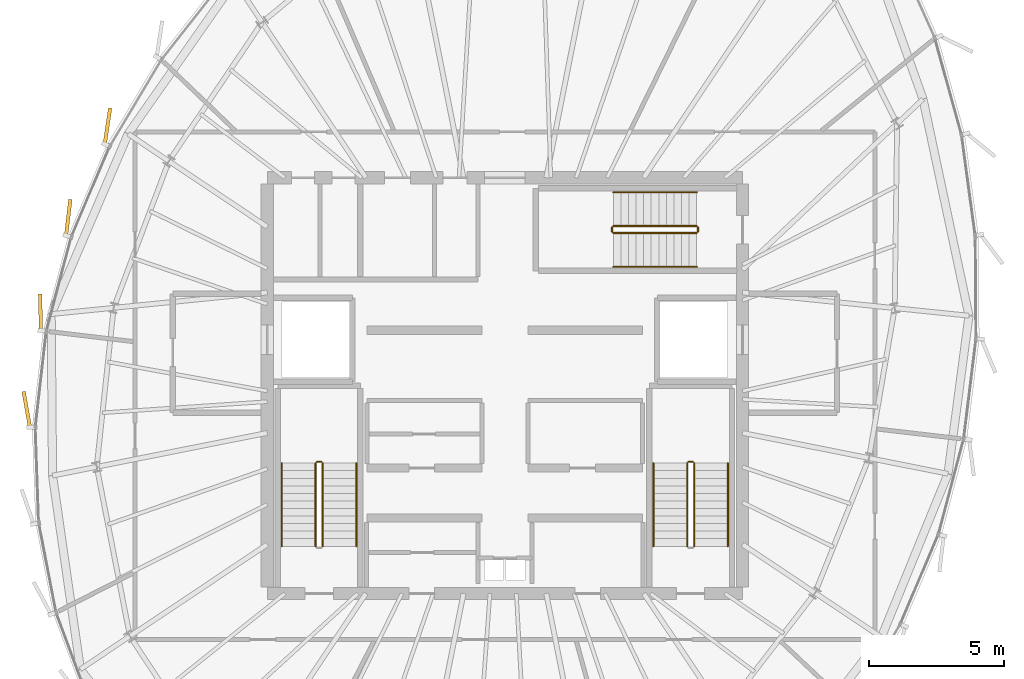
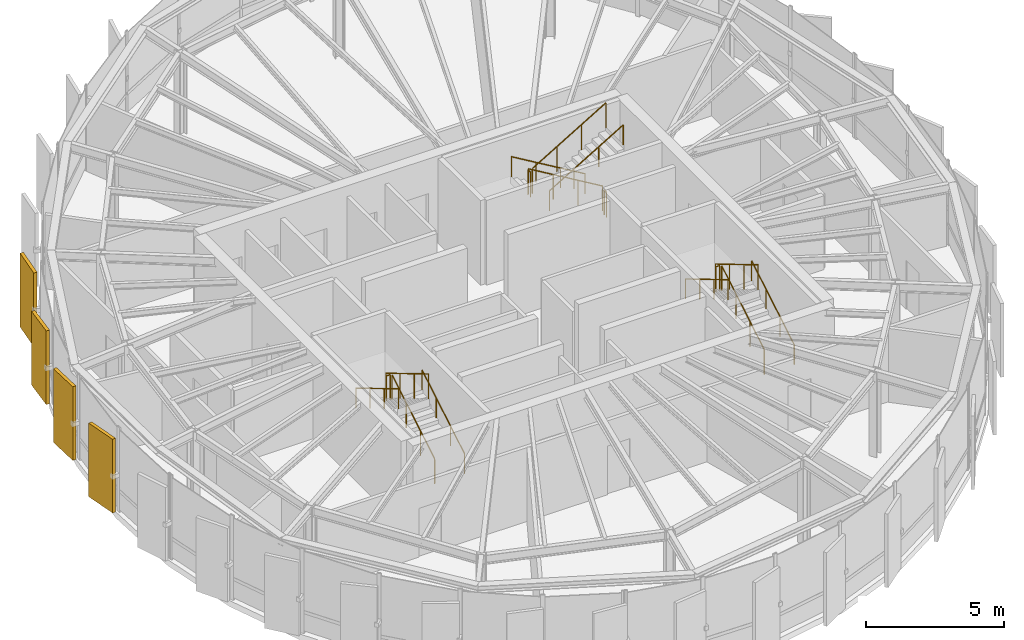
# One storey, part 25 of 26: 16 railings, 4 coverings.
"""IFC4 building model written with IfcOpenShell, lengths in metres."""

import ifcopenshell
import ifcopenshell.guid

model = None  # the IFC model being written
_history = None  # IfcOwnerHistory: only IFC2X3 demands one
_inside = {}  # id of a spatial element -> (the spatial element, [elements in it])
_under = {}  # id of a project, library or spatial element -> (it, [spatial elements below it])
_declared = {}  # id of a project -> (the project, [libraries it declares])
_typed = {}  # id of a type object -> (the type object, [elements of that type])
_made_of = {}  # id of a material, layer set ... -> (it, [elements and type objects made of it])


def new_model(schema):
    """Start an empty IFC model of exactly this schema.

    Asked for "IFC4X3", IfcOpenShell would pick the latest addendum, in which some entities
    have other attributes; the version numbers below select the first issue.
    IFC2X3 requires an IfcOwnerHistory on every rooted entity: one is made here for all.
    """
    global model, _history
    if schema == "IFC4X3":
        model = ifcopenshell.file(schema_version=(4, 3, 0, 0))
    else:
        model = ifcopenshell.file(schema=schema)
    _inside.clear()
    _under.clear()
    _declared.clear()
    _typed.clear()
    _made_of.clear()
    _history = None
    if model.schema == "IFC2X3":
        org = make("IfcOrganization", Name="unknown")
        user = make(
            "IfcPersonAndOrganization",
            ThePerson=make("IfcPerson", FamilyName="unknown"),
            TheOrganization=org,
        )
        app = make(
            "IfcApplication",
            ApplicationDeveloper=org,
            Version="unknown",
            ApplicationFullName="unknown",
            ApplicationIdentifier="unknown",
        )
        _history = make(
            "IfcOwnerHistory",
            OwningUser=user,
            OwningApplication=app,
            ChangeAction="ADDED",
            CreationDate=0,
        )
    return model


def make(cls, **values):
    """One entity of the class cls with the attributes given. An attribute that is None is left unset."""
    return model.create_entity(
        cls, **{name: value for name, value in values.items() if value is not None}
    )


def rooted(cls, **values):
    """An entity with a GlobalId (a new one), such as an element, a storey or a relation."""
    return make(cls, GlobalId=ifcopenshell.guid.new(), OwnerHistory=_history, **values)


def si_unit(unit_type, name, prefix=None):
    """IfcSIUnit, for example si_unit("LENGTHUNIT", "METRE", prefix="MILLI")."""
    return make("IfcSIUnit", UnitType=unit_type, Prefix=prefix, Name=name)


def assignment(units):
    """IfcUnitAssignment: the units of a project."""
    return None if units is None else make("IfcUnitAssignment", Units=units)


def point(xyz):
    """IfcCartesianPoint."""
    return None if xyz is None else make("IfcCartesianPoint", Coordinates=xyz)


def direction(xyz):
    """IfcDirection."""
    return None if xyz is None else make("IfcDirection", DirectionRatios=xyz)


def frame(location, z_axis=None, x_axis=None):
    """IfcAxis2Placement3D, a coordinate frame: its origin and axes. An axis left out is left unset."""
    return make(
        "IfcAxis2Placement3D",
        Location=point(location),
        Axis=direction(z_axis),
        RefDirection=direction(x_axis),
    )


def frame_2d(location, x_axis=None):
    """IfcAxis2Placement2D, a coordinate frame in the plane: its origin and x axis."""
    return make(
        "IfcAxis2Placement2D", Location=point(location), RefDirection=direction(x_axis)
    )


def origin():
    """The frame at (0, 0, 0) with its axes left unset."""
    return frame((0.0, 0.0, 0.0))


def origin_2d():
    """The frame at (0, 0) in the plane with its x axis left unset."""
    return frame_2d((0.0, 0.0))


def place(relative_to, where):
    """IfcLocalPlacement: puts the frame where relative to a parent placement (None: the world)."""
    return make(
        "IfcLocalPlacement", PlacementRelTo=relative_to, RelativePlacement=where
    )


def context(
    kind, dimensions, precision=None, world=None, true_north=None, identifier=None
):
    """IfcGeometricRepresentationContext, for example the 3D "Model" context."""
    return make(
        "IfcGeometricRepresentationContext",
        ContextIdentifier=identifier,
        ContextType=kind,
        CoordinateSpaceDimension=dimensions,
        Precision=precision,
        WorldCoordinateSystem=world,
        TrueNorth=true_north,
    )


def subcontext(parent, identifier, kind, view, scale=None):
    """IfcGeometricRepresentationSubContext, for example "Body" below "Model"."""
    return make(
        "IfcGeometricRepresentationSubContext",
        ContextIdentifier=identifier,
        ContextType=kind,
        ParentContext=parent,
        TargetScale=scale,
        TargetView=view,
    )


def project(units=None, contexts=None):
    """IfcProject with its units and contexts."""
    return rooted(
        "IfcProject",
        Name="project",
        RepresentationContexts=contexts,
        UnitsInContext=assignment(units),
    )


def spatial(cls, under=None, at=None, **own):
    """A site, building, storey or space (cls), placed at a placement, below another one or the project."""
    s = rooted(cls, ObjectPlacement=at, **own)
    if under is not None:
        _under.setdefault(under.id(), (under, []))[1].append(s)
    return s


def profile(cls, at=None, kind="AREA", **sizes):
    """A parametric profile (cls). Its sizes go by their IFC names, for example OverallWidth=200.0."""
    return make(cls, ProfileType=kind, Position=at, **sizes)


def rectangle(**sizes):
    """IfcRectangleProfileDef."""
    return profile("IfcRectangleProfileDef", **sizes)


def circle(**sizes):
    """IfcCircleProfileDef."""
    return profile("IfcCircleProfileDef", **sizes)


def extrude(swept, where, along, depth):
    """IfcExtrudedAreaSolid: the profile swept, set in the frame where, extruded along a direction by depth."""
    return make(
        "IfcExtrudedAreaSolid",
        SweptArea=swept,
        Position=where,
        ExtrudedDirection=direction(along),
        Depth=depth,
    )


def shape(context_of_items, identifier, shape_type, items):
    """IfcShapeRepresentation: the items that make up one representation, for example the "Body"."""
    return make(
        "IfcShapeRepresentation",
        ContextOfItems=context_of_items,
        RepresentationIdentifier=identifier,
        RepresentationType=shape_type,
        Items=items,
    )


def source(mapping_origin, context_of_items, identifier, shape_type, items):
    """IfcRepresentationMap: a shape defined once, which mapped items show again and again."""
    return make(
        "IfcRepresentationMap",
        MappingOrigin=mapping_origin,
        MappedRepresentation=shape(context_of_items, identifier, shape_type, items),
    )


def transform(
    local_origin,
    x_axis=None,
    y_axis=None,
    z_axis=None,
    scale=None,
    scale2=None,
    scale3=None,
    uniform=True,
):
    """IfcCartesianTransformationOperator3D, or its non-uniform kind. x_axis, y_axis, z_axis: its Axis1, 2, 3."""
    if uniform:
        return make(
            "IfcCartesianTransformationOperator3D",
            Axis1=direction(x_axis),
            Axis2=direction(y_axis),
            LocalOrigin=point(local_origin),
            Scale=scale,
            Axis3=direction(z_axis),
        )
    return make(
        "IfcCartesianTransformationOperator3DnonUniform",
        Axis1=direction(x_axis),
        Axis2=direction(y_axis),
        LocalOrigin=point(local_origin),
        Scale=scale,
        Axis3=direction(z_axis),
        Scale2=scale2,
        Scale3=scale3,
    )


def mapped(mapping_source, mapping_target):
    """IfcMappedItem: shows the shape of a source again, moved by a transform."""
    return make(
        "IfcMappedItem", MappingSource=mapping_source, MappingTarget=mapping_target
    )


def material(Name=None, Category=None):
    """IfcMaterial."""
    return make("IfcMaterial", Name=Name, Category=Category)


def layer(
    of_material, thickness, ventilated=None, Name=None, Category=None, Priority=None
):
    """IfcMaterialLayer: one layer of a wall or slab, of a material (None: an air gap)."""
    return make(
        "IfcMaterialLayer",
        Material=of_material,
        LayerThickness=thickness,
        IsVentilated=ventilated,
        Name=Name,
        Category=Category,
        Priority=Priority,
    )


def layer_set(layers, Name=None):
    """IfcMaterialLayerSet."""
    return make("IfcMaterialLayerSet", MaterialLayers=layers, LayerSetName=Name)


def made_of(thing, what):
    """Note that an element or type object is made of a material, layer set ...; save() writes the relation."""
    if what is not None:
        _made_of.setdefault(what.id(), (what, []))[1].append(thing)
    return thing


def type_object(cls, material=None, **own):
    """A type object (cls), such as IfcWallType, which elements share."""
    return made_of(rooted(cls, **own), material)


def element(
    cls,
    number,
    at=None,
    inside=None,
    cuts=None,
    type_object=None,
    material=None,
    context=None,
    identifier="Body",
    shape_type=None,
    held_by="IfcProductDefinitionShape",
    body=None,
    shapes=None,
    **own,
):
    """One element of the class cls, such as IfcWall. Its Tag is "e" and its number.

    at: its placement. inside: the storey or other place that contains it. cuts: it is an
    opening in that element (IfcRelVoidsElement). A single representation is given by context,
    identifier, shape_type and body (its items); several are given by shapes. held_by: the class
    of the entity that holds the representations. save() writes the other relations.
    """
    e = rooted(cls, Tag="e%d" % number, ObjectPlacement=at, **own)
    if body is not None:
        shapes = [shape(context, identifier, shape_type, body)]
    if shapes is not None:
        e.Representation = make(held_by, Representations=shapes)
    if inside is not None:
        _inside.setdefault(inside.id(), (inside, []))[1].append(e)
    if cuts is not None:
        rooted(
            "IfcRelVoidsElement", RelatingBuildingElement=cuts, RelatedOpeningElement=e
        )
    if type_object is not None:
        _typed.setdefault(type_object.id(), (type_object, []))[1].append(e)
    return made_of(e, material)


def aggregate(whole, parts):
    """IfcRelAggregates: a whole, such as a stair, and the parts it consists of."""
    return rooted("IfcRelAggregates", RelatingObject=whole, RelatedObjects=parts)


def save(model, path):
    """Write the relations noted so far, then the file.

    IfcRelAggregates (storeys below a building ...), IfcRelContainedInSpatialStructure (elements
    in a storey), IfcRelDefinesByType, IfcRelAssociatesMaterial and IfcRelDeclares: one each for
    every whole, place, type object, material and project.
    """
    for whole, parts in _under.values():
        aggregate(whole, parts)
    for where, things in _inside.values():
        rooted(
            "IfcRelContainedInSpatialStructure",
            RelatedElements=things,
            RelatingStructure=where,
        )
    for kind, things in _typed.values():
        rooted("IfcRelDefinesByType", RelatedObjects=things, RelatingType=kind)
    for what, things in _made_of.values():
        rooted("IfcRelAssociatesMaterial", RelatedObjects=things, RelatingMaterial=what)
    for by, libraries in _declared.values():
        rooted("IfcRelDeclares", RelatingContext=by, RelatedDefinitions=libraries)
    model.write(path)


model = new_model("IFC4")

# Units and contexts
model_context = context("Model", 3, precision=1e-05, world=origin(), true_north=direction((0.0, 1.0)))
body_context = subcontext(model_context, "Body", "Model", "MODEL_VIEW")
ifc_project = project(units=[si_unit("LENGTHUNIT", "METRE"), si_unit("AREAUNIT", "SQUARE_METRE"), si_unit("VOLUMEUNIT", "CUBIC_METRE"), si_unit("PLANEANGLEUNIT", "RADIAN"), si_unit("MASSUNIT", "GRAM", prefix="KILO"), si_unit("THERMODYNAMICTEMPERATUREUNIT", "KELVIN")], contexts=[model_context])

# Site, building, storey
site_placement = place(None, origin())
site = spatial("IfcSite", under=ifc_project, at=site_placement, CompositionType="ELEMENT")
building_placement = place(site_placement, origin())
building = spatial("IfcBuilding", under=site, at=building_placement, Name="Kethvar Cultural Tower", CompositionType="ELEMENT")
storey_placement = place(building_placement, frame((0.0, 0.0, 320.300048828125)))
storey = spatial("IfcBuildingStorey", under=building, at=storey_placement, Name="L85", CompositionType="ELEMENT", Elevation=320.300048828125)

# Railings
ifc_material_1 = material(Name="Steel S355J2", Category="steel")
railing_type_1 = type_object("IfcRailingType", Name="RL-STAIR-GUARD", PredefinedType="BALUSTRADE", material=ifc_material_1)
railing_1_placement = place(storey_placement, frame((40.050048828125, 21.85009765625, 0.16650390625)))
element("IfcRailing", 1, at=railing_1_placement, inside=storey, type_object=railing_type_1, Name="L85 ST-01 stair guard 1", PredefinedType="BALUSTRADE", context=body_context, shape_type="SweptSolid", body=[
    extrude(circle(Radius=0.02392578125, at=origin_2d()), frame((0.0, 0.0, 1.09619140625), z_axis=(0.0, 0.859260807169, 0.511537745687), x_axis=(-1.0, 0.0, 0.0)), (0.0, 0.0, 1.0), 3.584228515625),
    extrude(circle(Radius=0.02099609375, at=origin_2d()), origin(), (0.0, 0.0, 1.0), 1.072021484375),
    extrude(circle(Radius=0.02099609375, at=origin_2d()), frame((0.0, 1.026611328125, 0.611083984375)), (0.0, 0.0, 1.0), 1.072021484375),
    extrude(circle(Radius=0.02099609375, at=origin_2d()), frame((0.0, 2.05322265625, 1.222412109375)), (0.0, 0.0, 1.0), 1.072021484375),
    extrude(circle(Radius=0.02099609375, at=origin_2d()), frame((0.0, 3.079833984375, 1.83349609375)), (0.0, 0.0, 1.0), 1.072021484375),
])
railing_2_placement = place(storey_placement, frame((40.0, 24.97998046875, 2.0)))
element("IfcRailing", 2, at=railing_2_placement, inside=storey, type_object=railing_type_1, Name="L85 ST-01 stair guard 2", PredefinedType="BALUSTRADE", context=body_context, shape_type="SweptSolid", body=[
    extrude(circle(Radius=0.02392578125, at=origin_2d()), frame((0.0, 0.0, 1.09619140625), z_axis=(-1.0, 0.0, 0.0), x_axis=(0.0, -1.0, 0.0)), (0.0, 0.0, 1.0), 0.159912109375),
    extrude(circle(Radius=0.02099609375, at=origin_2d()), origin(), (0.0, 0.0, 1.0), 1.072021484375),
    extrude(circle(Radius=0.02099609375, at=origin_2d()), frame((-0.159912109375, 0.0, 0.0)), (0.0, 0.0, 1.0), 1.072021484375),
])
railing_3_placement = place(storey_placement, frame((39.7900390625, 24.929931640625, 2.16650390625)))
element("IfcRailing", 3, at=railing_3_placement, inside=storey, type_object=railing_type_1, Name="L85 ST-01 stair guard 3", PredefinedType="BALUSTRADE", context=body_context, shape_type="SweptSolid", body=[
    extrude(circle(Radius=0.02392578125, at=origin_2d()), frame((0.0, 0.0, 1.09619140625), z_axis=(0.0, -0.859260807169, 0.511537745687), x_axis=(1.0, 0.0, 0.0)), (0.0, 0.0, 1.0), 3.584228515625),
    extrude(circle(Radius=0.02099609375, at=origin_2d()), origin(), (0.0, 0.0, 1.0), 1.072021484375),
    extrude(circle(Radius=0.02099609375, at=origin_2d()), frame((0.0, -1.026611328125, 0.611083984375)), (0.0, 0.0, 1.0), 1.072021484375),
    extrude(circle(Radius=0.02099609375, at=origin_2d()), frame((0.0, -2.05322265625, 1.222412109375)), (0.0, 0.0, 1.0), 1.072021484375),
    extrude(circle(Radius=0.02099609375, at=origin_2d()), frame((0.0, -3.079833984375, 1.83349609375)), (0.0, 0.0, 1.0), 1.072021484375),
])
railing_4_placement = place(storey_placement, frame((53.81005859375, 21.85009765625, 0.16650390625)))
element("IfcRailing", 4, at=railing_4_placement, inside=storey, type_object=railing_type_1, Name="L85 ST-02 stair guard 1", PredefinedType="BALUSTRADE", context=body_context, shape_type="SweptSolid", body=[
    extrude(circle(Radius=0.02392578125, at=origin_2d()), frame((0.0, 0.0, 1.09619140625), z_axis=(0.0, 0.859260807169, 0.511537745687), x_axis=(-1.0, 0.0, 0.0)), (0.0, 0.0, 1.0), 3.584228515625),
    extrude(circle(Radius=0.02099609375, at=origin_2d()), origin(), (0.0, 0.0, 1.0), 1.072021484375),
    extrude(circle(Radius=0.02099609375, at=origin_2d()), frame((0.0, 1.026611328125, 0.611083984375)), (0.0, 0.0, 1.0), 1.072021484375),
    extrude(circle(Radius=0.02099609375, at=origin_2d()), frame((0.0, 2.05322265625, 1.222412109375)), (0.0, 0.0, 1.0), 1.072021484375),
    extrude(circle(Radius=0.02099609375, at=origin_2d()), frame((0.0, 3.079833984375, 1.83349609375)), (0.0, 0.0, 1.0), 1.072021484375),
])
railing_5_placement = place(storey_placement, frame((53.760009765625, 24.97998046875, 2.0)))
element("IfcRailing", 5, at=railing_5_placement, inside=storey, type_object=railing_type_1, Name="L85 ST-02 stair guard 2", PredefinedType="BALUSTRADE", context=body_context, shape_type="SweptSolid", body=[
    extrude(circle(Radius=0.02392578125, at=origin_2d()), frame((0.0, 0.0, 1.09619140625), z_axis=(-1.0, 0.0, 0.0), x_axis=(0.0, -1.0, 0.0)), (0.0, 0.0, 1.0), 0.159912109375),
    extrude(circle(Radius=0.02099609375, at=origin_2d()), origin(), (0.0, 0.0, 1.0), 1.072021484375),
    extrude(circle(Radius=0.02099609375, at=origin_2d()), frame((-0.159912109375, 0.0, 0.0)), (0.0, 0.0, 1.0), 1.072021484375),
])
railing_6_placement = place(storey_placement, frame((53.550048828125, 24.929931640625, 2.16650390625)))
element("IfcRailing", 6, at=railing_6_placement, inside=storey, type_object=railing_type_1, Name="L85 ST-02 stair guard 3", PredefinedType="BALUSTRADE", context=body_context, shape_type="SweptSolid", body=[
    extrude(circle(Radius=0.02392578125, at=origin_2d()), frame((0.0, 0.0, 1.09619140625), z_axis=(0.0, -0.859260807169, 0.511537745687), x_axis=(1.0, 0.0, 0.0)), (0.0, 0.0, 1.0), 3.584228515625),
    extrude(circle(Radius=0.02099609375, at=origin_2d()), origin(), (0.0, 0.0, 1.0), 1.072021484375),
    extrude(circle(Radius=0.02099609375, at=origin_2d()), frame((0.0, -1.026611328125, 0.611083984375)), (0.0, 0.0, 1.0), 1.072021484375),
    extrude(circle(Radius=0.02099609375, at=origin_2d()), frame((0.0, -2.05322265625, 1.222412109375)), (0.0, 0.0, 1.0), 1.072021484375),
    extrude(circle(Radius=0.02099609375, at=origin_2d()), frame((0.0, -3.079833984375, 1.83349609375)), (0.0, 0.0, 1.0), 1.072021484375),
])
railing_7_placement = place(storey_placement, frame((53.89990234375, 33.7099609375, 0.16650390625)))
element("IfcRailing", 7, at=railing_7_placement, inside=storey, type_object=railing_type_1, Name="L85 ST-03 stair guard 1", PredefinedType="BALUSTRADE", context=body_context, shape_type="SweptSolid", body=[
    extrude(circle(Radius=0.02392578125, at=origin_2d()), frame((0.0, 0.0, 1.09619140625), z_axis=(-0.859260807169, 0.0, 0.511537745687), x_axis=(0.0, -1.0, 0.0)), (0.0, 0.0, 1.0), 3.584228515625),
    extrude(circle(Radius=0.02099609375, at=origin_2d()), origin(), (0.0, 0.0, 1.0), 1.072021484375),
    extrude(circle(Radius=0.02099609375, at=origin_2d()), frame((-1.026611328125, 0.0, 0.611083984375)), (0.0, 0.0, 1.0), 1.072021484375),
    extrude(circle(Radius=0.02099609375, at=origin_2d()), frame((-2.05322265625, 0.0, 1.222412109375)), (0.0, 0.0, 1.0), 1.072021484375),
    extrude(circle(Radius=0.02099609375, at=origin_2d()), frame((-3.079833984375, 0.0, 1.83349609375)), (0.0, 0.0, 1.0), 1.072021484375),
])
railing_8_placement = place(storey_placement, frame((50.77001953125, 33.659912109375, 2.0)))
element("IfcRailing", 8, at=railing_8_placement, inside=storey, type_object=railing_type_1, Name="L85 ST-03 stair guard 2", PredefinedType="BALUSTRADE", context=body_context, shape_type="SweptSolid", body=[
    extrude(circle(Radius=0.02392578125, at=origin_2d()), frame((0.0, 0.0, 1.09619140625), z_axis=(0.0, -1.0, 0.0), x_axis=(1.0, 0.0, 0.0)), (0.0, 0.0, 1.0), 0.159912109375),
    extrude(circle(Radius=0.02099609375, at=origin_2d()), origin(), (0.0, 0.0, 1.0), 1.072021484375),
    extrude(circle(Radius=0.02099609375, at=origin_2d()), frame((0.0, -0.159912109375, 0.0)), (0.0, 0.0, 1.0), 1.072021484375),
])
railing_9_placement = place(storey_placement, frame((50.820068359375, 33.449951171875, 2.16650390625)))
element("IfcRailing", 9, at=railing_9_placement, inside=storey, type_object=railing_type_1, Name="L85 ST-03 stair guard 3", PredefinedType="BALUSTRADE", context=body_context, shape_type="SweptSolid", body=[
    extrude(circle(Radius=0.02392578125, at=origin_2d()), frame((0.0, 0.0, 1.09619140625), z_axis=(0.859260807169, 0.0, 0.511537745687), x_axis=(0.0, 1.0, 0.0)), (0.0, 0.0, 1.0), 3.584228515625),
    extrude(circle(Radius=0.02099609375, at=origin_2d()), origin(), (0.0, 0.0, 1.0), 1.072021484375),
    extrude(circle(Radius=0.02099609375, at=origin_2d()), frame((1.026611328125, 0.0, 0.611083984375)), (0.0, 0.0, 1.0), 1.072021484375),
    extrude(circle(Radius=0.02099609375, at=origin_2d()), frame((2.05322265625, 0.0, 1.222412109375)), (0.0, 0.0, 1.0), 1.072021484375),
    extrude(circle(Radius=0.02099609375, at=origin_2d()), frame((3.079833984375, 0.0, 1.83349609375)), (0.0, 0.0, 1.0), 1.072021484375),
])
railing_10_placement = place(storey_placement, frame((53.949951171875, 33.659912109375, 0.0)))
element("IfcRailing", 10, at=railing_10_placement, inside=storey, type_object=railing_type_1, Name="L85 ST-03 stair guard 4", PredefinedType="BALUSTRADE", context=body_context, shape_type="SweptSolid", body=[
    extrude(circle(Radius=0.02392578125, at=origin_2d()), frame((0.0, 0.0, 1.09619140625), z_axis=(0.0, -1.0, 0.0), x_axis=(1.0, 0.0, 0.0)), (0.0, 0.0, 1.0), 0.159912109375),
    extrude(circle(Radius=0.02099609375, at=origin_2d()), origin(), (0.0, 0.0, 1.0), 1.072021484375),
    extrude(circle(Radius=0.02099609375, at=origin_2d()), frame((0.0, -0.159912109375, 0.0)), (0.0, 0.0, 1.0), 1.072021484375),
])
railing_type_2 = type_object("IfcRailingType", Name="RL-STAIR-HANDRAIL", PredefinedType="HANDRAIL", material=ifc_material_1)
railing_11_placement = place(storey_placement, frame((41.300048828125, 21.85009765625, 0.16650390625)))
element("IfcRailing", 11, at=railing_11_placement, inside=storey, type_object=railing_type_2, Name="L85 ST-01 stair handrail 1", PredefinedType="HANDRAIL", context=body_context, shape_type="SweptSolid", body=[
    extrude(circle(Radius=0.02392578125, at=origin_2d()), frame((0.0, 0.0, 0.8759765625), z_axis=(0.0, 0.859260807169, 0.511537745687), x_axis=(-1.0, 0.0, 0.0)), (0.0, 0.0, 1.0), 3.584228515625),
    extrude(circle(Radius=0.02099609375, at=origin_2d()), origin(), (0.0, 0.0, 1.0), 0.851806640625),
    extrude(circle(Radius=0.02099609375, at=origin_2d()), frame((0.0, 1.026611328125, 0.611083984375)), (0.0, 0.0, 1.0), 0.851806640625),
    extrude(circle(Radius=0.02099609375, at=origin_2d()), frame((0.0, 2.05322265625, 1.222412109375)), (0.0, 0.0, 1.0), 0.851806640625),
    extrude(circle(Radius=0.02099609375, at=origin_2d()), frame((0.0, 3.079833984375, 1.83349609375)), (0.0, 0.0, 1.0), 0.851806640625),
])
railing_12_placement = place(storey_placement, frame((38.5400390625, 24.929931640625, 2.16650390625)))
element("IfcRailing", 12, at=railing_12_placement, inside=storey, type_object=railing_type_2, Name="L85 ST-01 stair handrail 2", PredefinedType="HANDRAIL", context=body_context, shape_type="SweptSolid", body=[
    extrude(circle(Radius=0.02392578125, at=origin_2d()), frame((0.0, 0.0, 0.8759765625), z_axis=(0.0, -0.859260807169, 0.511537745687), x_axis=(1.0, 0.0, 0.0)), (0.0, 0.0, 1.0), 3.584228515625),
    extrude(circle(Radius=0.02099609375, at=origin_2d()), origin(), (0.0, 0.0, 1.0), 0.851806640625),
    extrude(circle(Radius=0.02099609375, at=origin_2d()), frame((0.0, -1.026611328125, 0.611083984375)), (0.0, 0.0, 1.0), 0.851806640625),
    extrude(circle(Radius=0.02099609375, at=origin_2d()), frame((0.0, -2.05322265625, 1.222412109375)), (0.0, 0.0, 1.0), 0.851806640625),
    extrude(circle(Radius=0.02099609375, at=origin_2d()), frame((0.0, -3.079833984375, 1.83349609375)), (0.0, 0.0, 1.0), 0.851806640625),
])
railing_13_placement = place(storey_placement, frame((55.06005859375, 21.85009765625, 0.16650390625)))
element("IfcRailing", 13, at=railing_13_placement, inside=storey, type_object=railing_type_2, Name="L85 ST-02 stair handrail 1", PredefinedType="HANDRAIL", context=body_context, shape_type="SweptSolid", body=[
    extrude(circle(Radius=0.02392578125, at=origin_2d()), frame((0.0, 0.0, 0.8759765625), z_axis=(0.0, 0.859260807169, 0.511537745687), x_axis=(-1.0, 0.0, 0.0)), (0.0, 0.0, 1.0), 3.584228515625),
    extrude(circle(Radius=0.02099609375, at=origin_2d()), origin(), (0.0, 0.0, 1.0), 0.851806640625),
    extrude(circle(Radius=0.02099609375, at=origin_2d()), frame((0.0, 1.026611328125, 0.611083984375)), (0.0, 0.0, 1.0), 0.851806640625),
    extrude(circle(Radius=0.02099609375, at=origin_2d()), frame((0.0, 2.05322265625, 1.222412109375)), (0.0, 0.0, 1.0), 0.851806640625),
    extrude(circle(Radius=0.02099609375, at=origin_2d()), frame((0.0, 3.079833984375, 1.83349609375)), (0.0, 0.0, 1.0), 0.851806640625),
])
railing_14_placement = place(storey_placement, frame((52.300048828125, 24.929931640625, 2.16650390625)))
element("IfcRailing", 14, at=railing_14_placement, inside=storey, type_object=railing_type_2, Name="L85 ST-02 stair handrail 2", PredefinedType="HANDRAIL", context=body_context, shape_type="SweptSolid", body=[
    extrude(circle(Radius=0.02392578125, at=origin_2d()), frame((0.0, 0.0, 0.8759765625), z_axis=(0.0, -0.859260807169, 0.511537745687), x_axis=(1.0, 0.0, 0.0)), (0.0, 0.0, 1.0), 3.584228515625),
    extrude(circle(Radius=0.02099609375, at=origin_2d()), origin(), (0.0, 0.0, 1.0), 0.851806640625),
    extrude(circle(Radius=0.02099609375, at=origin_2d()), frame((0.0, -1.026611328125, 0.611083984375)), (0.0, 0.0, 1.0), 0.851806640625),
    extrude(circle(Radius=0.02099609375, at=origin_2d()), frame((0.0, -2.05322265625, 1.222412109375)), (0.0, 0.0, 1.0), 0.851806640625),
    extrude(circle(Radius=0.02099609375, at=origin_2d()), frame((0.0, -3.079833984375, 1.83349609375)), (0.0, 0.0, 1.0), 0.851806640625),
])
railing_15_placement = place(storey_placement, frame((53.89990234375, 34.9599609375, 0.16650390625)))
element("IfcRailing", 15, at=railing_15_placement, inside=storey, type_object=railing_type_2, Name="L85 ST-03 stair handrail 1", PredefinedType="HANDRAIL", context=body_context, shape_type="SweptSolid", body=[
    extrude(circle(Radius=0.02392578125, at=origin_2d()), frame((0.0, 0.0, 0.8759765625), z_axis=(-0.859260807169, 0.0, 0.511537745687), x_axis=(0.0, -1.0, 0.0)), (0.0, 0.0, 1.0), 3.584228515625),
    extrude(circle(Radius=0.02099609375, at=origin_2d()), origin(), (0.0, 0.0, 1.0), 0.851806640625),
    extrude(circle(Radius=0.02099609375, at=origin_2d()), frame((-1.026611328125, 0.0, 0.611083984375)), (0.0, 0.0, 1.0), 0.851806640625),
    extrude(circle(Radius=0.02099609375, at=origin_2d()), frame((-2.05322265625, 0.0, 1.222412109375)), (0.0, 0.0, 1.0), 0.851806640625),
    extrude(circle(Radius=0.02099609375, at=origin_2d()), frame((-3.079833984375, 0.0, 1.83349609375)), (0.0, 0.0, 1.0), 0.851806640625),
])
railing_16_placement = place(storey_placement, frame((50.820068359375, 32.199951171875, 2.16650390625)))
element("IfcRailing", 16, at=railing_16_placement, inside=storey, type_object=railing_type_2, Name="L85 ST-03 stair handrail 2", PredefinedType="HANDRAIL", context=body_context, shape_type="SweptSolid", body=[
    extrude(circle(Radius=0.02392578125, at=origin_2d()), frame((0.0, 0.0, 0.8759765625), z_axis=(0.859260807169, 0.0, 0.511537745687), x_axis=(0.0, 1.0, 0.0)), (0.0, 0.0, 1.0), 3.584228515625),
    extrude(circle(Radius=0.02099609375, at=origin_2d()), origin(), (0.0, 0.0, 1.0), 0.851806640625),
    extrude(circle(Radius=0.02099609375, at=origin_2d()), frame((1.026611328125, 0.0, 0.611083984375)), (0.0, 0.0, 1.0), 0.851806640625),
    extrude(circle(Radius=0.02099609375, at=origin_2d()), frame((2.05322265625, 0.0, 1.222412109375)), (0.0, 0.0, 1.0), 0.851806640625),
    extrude(circle(Radius=0.02099609375, at=origin_2d()), frame((3.079833984375, 0.0, 1.83349609375)), (0.0, 0.0, 1.0), 0.851806640625),
])

# Coverings
ifc_material_2 = material(Name="Extruded Architectural Terracotta", Category="masonry")
ifc_layer = layer(ifc_material_2, 0.135009765625, Name="Extruded Architectural Terracotta", Category="masonry")
ifc_layer_set = layer_set([ifc_layer], Name="Extruded Architectural Terracotta (135 mm)")
covering_type = type_object("IfcCoveringType", Name="Terracotta Facade Fin FIN-03", PredefinedType="CLADDING", material=ifc_layer_set)
shared_shape = source(origin(), body_context, "Body", "SweptSolid", [
    extrude(rectangle(XDim=1.35009765625, YDim=0.135009765625, at=origin_2d()), origin(), (0.0, 0.0, 1.0), 3.25),
])
for number, where, z_axis, x_axis, name in (
    (17, (32.081787109375, 37.41162109375, 0.02001953125), (0.0, 0.0, 1.0), (0.146946275799, 0.989144474801, 0.0), "L85 Vertical Terracotta Fin 2.3"),
    (18, (30.628662109375, 34.028076171875, 0.02001953125), (0.0, 0.0, 1.0), (0.118230661329, 0.992986158374, 0.0), "L85 Vertical Terracotta Fin 2.4"),
    (19, (29.601806640625, 30.51123046875, 0.02001953125), (0.0, 0.0, 1.0), (-0.026002474793, 0.999661878489, 0.0), "L85 Vertical Terracotta Fin 2.5"),
    (20, (29.093994140625, 26.91748046875, 0.02001953125), (0.0, 0.0, 1.0), (-0.173991929836, 0.984747078367, 0.0), "L85 Vertical Terracotta Fin 2.6"),
):
    element("IfcCovering", number, at=place(storey_placement, frame(where, z_axis=z_axis, x_axis=x_axis)), inside=storey, type_object=covering_type, Name=name, PredefinedType="CLADDING", context=body_context, shape_type="MappedRepresentation", body=[
        mapped(shared_shape, transform((0.0, 0.0, 0.0), scale=1.0)),
    ])

save(model, "model.ifc")
